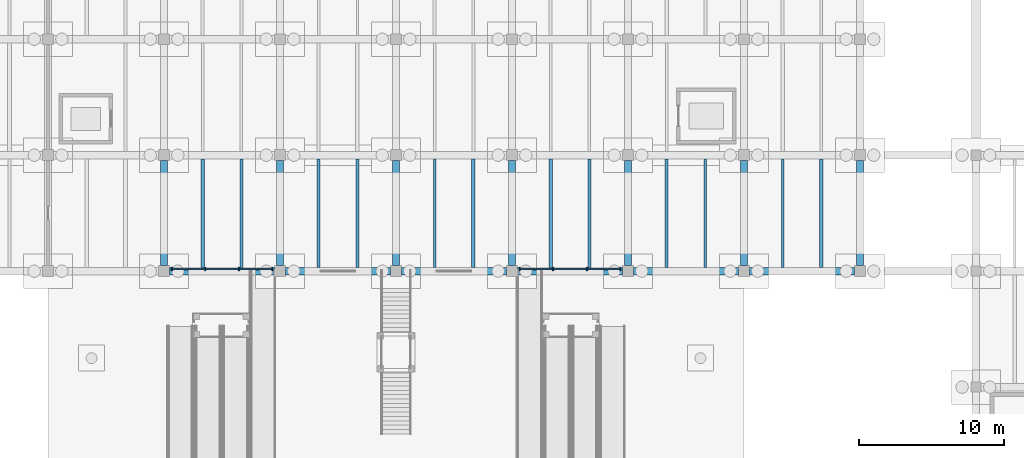
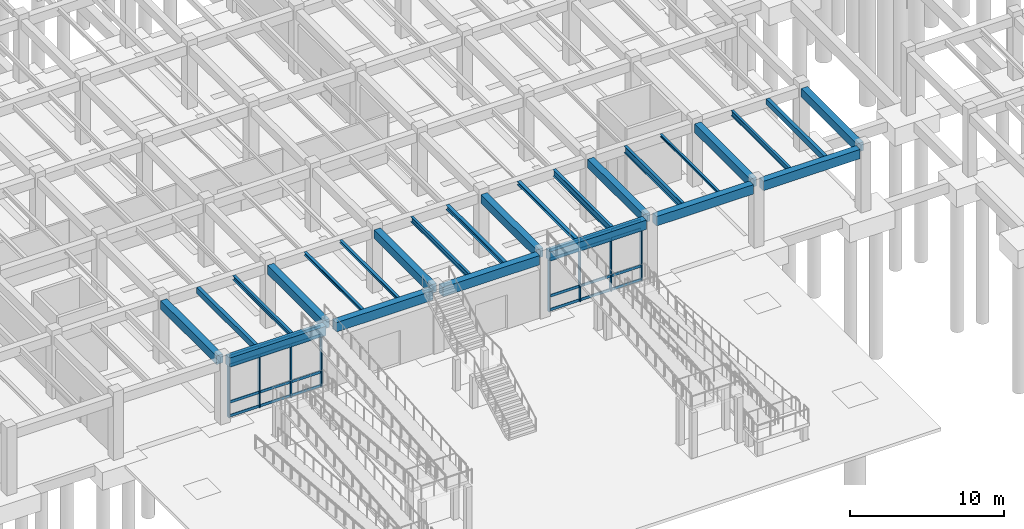
# One storey, part 14 of 44: 32 members, 25 beams, 2 elements without a shape of their own.
"""IFC4 building model written with IfcOpenShell, lengths in metres."""

from ifc_helpers import new_model, si_unit, direction, frame, origin, origin_2d, place, context, subcontext, project, spatial, rectangle, i_section, extrude, material, material_profile, profile_set, type_object, element, aggregate, save


model = new_model("IFC4")

# Units and contexts
model_context = context("Model", 3, precision=1e-05, world=origin(), true_north=direction((0.0, 1.0)))
body_context = subcontext(model_context, "Body", "Model", "MODEL_VIEW")
ifc_project = project(units=[si_unit("LENGTHUNIT", "METRE"), si_unit("AREAUNIT", "SQUARE_METRE"), si_unit("VOLUMEUNIT", "CUBIC_METRE"), si_unit("PLANEANGLEUNIT", "RADIAN"), si_unit("MASSUNIT", "GRAM", prefix="KILO")], contexts=[model_context])

# Site, building, storey
site_placement = place(None, origin())
site = spatial("IfcSite", under=ifc_project, at=site_placement, CompositionType="ELEMENT")
building_placement = place(site_placement, origin())
building = spatial("IfcBuilding", under=site, at=building_placement, Name="Pecanmere Concourse Central Library", CompositionType="ELEMENT")
storey_placement = place(building_placement, frame((0.0, 0.0, -5.39990234375)))
storey = spatial("IfcBuildingStorey", under=building, at=storey_placement, Name="B1", CompositionType="ELEMENT", Elevation=-5.39990234375)

# Curtain wall, members
ifc_material_1 = material(Name="Anodized bronze aluminium alloy 6063-T6", Category="aluminium")
curtain_wall_type = type_object("IfcCurtainWallType", Name="CW_PORTAL_CLEAR", PredefinedType="USERDEFINED", material=ifc_material_1)
curtain_wall_1_placement = place(storey_placement, origin())
curtain_wall_1 = element("IfcCurtainWall", 1, at=curtain_wall_1_placement, inside=storey, type_object=curtain_wall_type, Name="Unitised Curtain Wall CW-03 B1-171", ObjectType="UNITISED CURTAIN WALL", PredefinedType="USERDEFINED")
ifc_material_2 = material(Name="Anodized bronze aluminium alloy 6063-T6", Category="aluminium")
ifc_material_profile_1 = material_profile(ifc_material_2, rectangle(XDim=0.0849609375, YDim=0.239990234375, at=origin_2d()), Name="AL 85x240")
ifc_profile_set_1 = profile_set([ifc_material_profile_1], Name="Anodized bronze aluminium alloy 6063-T6")
member_type_1 = type_object("IfcMemberType", Name="CWM_240x85", PredefinedType="MULLION", material=ifc_profile_set_1)
member_1_placement = place(storey_placement, frame((72.54248046875, 24.14990234375, 0.0), z_axis=(0.0, 0.0, 1.0), x_axis=(1.0, 0.0, 0.0)))
member_1 = element("IfcMember", 2, at=member_1_placement, type_object=member_type_1, Name="CW-03 Mullion 1", PredefinedType="MULLION", context=body_context, shape_type="SweptSolid", body=[
    extrude(rectangle(XDim=0.0849609375, YDim=0.239990234375, at=origin_2d()), origin(), (0.0, 0.0, 1.0), 4.89990234375),
])
member_2_placement = place(storey_placement, frame((74.833251953125, 24.14990234375, 0.0), z_axis=(0.0, 0.0, 1.0), x_axis=(1.0, 0.0, 0.0)))
member_2 = element("IfcMember", 3, at=member_2_placement, type_object=member_type_1, Name="CW-03 Mullion 2", PredefinedType="MULLION", context=body_context, shape_type="SweptSolid", body=[
    extrude(rectangle(XDim=0.0849609375, YDim=0.239990234375, at=origin_2d()), origin(), (0.0, 0.0, 1.0), 4.89990234375),
])
member_3_placement = place(storey_placement, frame((77.166748046875, 24.14990234375, 0.0), z_axis=(0.0, 0.0, 1.0), x_axis=(1.0, 0.0, 0.0)))
member_3 = element("IfcMember", 4, at=member_3_placement, type_object=member_type_1, Name="CW-03 Mullion 3", PredefinedType="MULLION", context=body_context, shape_type="SweptSolid", body=[
    extrude(rectangle(XDim=0.0849609375, YDim=0.239990234375, at=origin_2d()), origin(), (0.0, 0.0, 1.0), 4.89990234375),
])
member_4_placement = place(storey_placement, frame((79.45751953125, 24.14990234375, 0.0), z_axis=(0.0, 0.0, 1.0), x_axis=(1.0, 0.0, 0.0)))
member_4 = element("IfcMember", 5, at=member_4_placement, type_object=member_type_1, Name="CW-03 Mullion 4", PredefinedType="MULLION", context=body_context, shape_type="SweptSolid", body=[
    extrude(rectangle(XDim=0.0849609375, YDim=0.239990234375, at=origin_2d()), origin(), (0.0, 0.0, 1.0), 4.89990234375),
])

curtain_wall_2_placement = place(storey_placement, origin())
curtain_wall_2 = element("IfcCurtainWall", 6, at=curtain_wall_2_placement, inside=storey, type_object=curtain_wall_type, Name="Unitised Curtain Wall CW-03 B1-172", ObjectType="UNITISED CURTAIN WALL", PredefinedType="USERDEFINED")
member_5_placement = place(storey_placement, frame((96.54248046875, 24.14990234375, 0.0), z_axis=(0.0, 0.0, 1.0), x_axis=(1.0, 0.0, 0.0)))
member_5 = element("IfcMember", 7, at=member_5_placement, type_object=member_type_1, Name="CW-03 Mullion 1", PredefinedType="MULLION", context=body_context, shape_type="SweptSolid", body=[
    extrude(rectangle(XDim=0.0849609375, YDim=0.239990234375, at=origin_2d()), origin(), (0.0, 0.0, 1.0), 4.89990234375),
])
member_6_placement = place(storey_placement, frame((98.833251953125, 24.14990234375, 0.0), z_axis=(0.0, 0.0, 1.0), x_axis=(1.0, 0.0, 0.0)))
member_6 = element("IfcMember", 8, at=member_6_placement, type_object=member_type_1, Name="CW-03 Mullion 2", PredefinedType="MULLION", context=body_context, shape_type="SweptSolid", body=[
    extrude(rectangle(XDim=0.0849609375, YDim=0.239990234375, at=origin_2d()), origin(), (0.0, 0.0, 1.0), 4.89990234375),
])
member_7_placement = place(storey_placement, frame((101.166748046875, 24.14990234375, 0.0), z_axis=(0.0, 0.0, 1.0), x_axis=(1.0, 0.0, 0.0)))
member_7 = element("IfcMember", 9, at=member_7_placement, type_object=member_type_1, Name="CW-03 Mullion 3", PredefinedType="MULLION", context=body_context, shape_type="SweptSolid", body=[
    extrude(rectangle(XDim=0.0849609375, YDim=0.239990234375, at=origin_2d()), origin(), (0.0, 0.0, 1.0), 4.89990234375),
])
member_8_placement = place(storey_placement, frame((103.45751953125, 24.14990234375, 0.0), z_axis=(0.0, 0.0, 1.0), x_axis=(1.0, 0.0, 0.0)))
member_8 = element("IfcMember", 10, at=member_8_placement, type_object=member_type_1, Name="CW-03 Mullion 4", PredefinedType="MULLION", context=body_context, shape_type="SweptSolid", body=[
    extrude(rectangle(XDim=0.0849609375, YDim=0.239990234375, at=origin_2d()), origin(), (0.0, 0.0, 1.0), 4.89990234375),
])

# Member
ifc_material_3 = material(Name="Anodized bronze aluminium alloy 6063-T6", Category="aluminium")
ifc_material_profile_2 = material_profile(ifc_material_3, rectangle(XDim=0.074951171875, YDim=0.2099609375, at=origin_2d()), Name="AL 75x210")
ifc_profile_set_2 = profile_set([ifc_material_profile_2], Name="Anodized bronze aluminium alloy 6063-T6")
member_type_2 = type_object("IfcMemberType", Name="CWT_210x75", PredefinedType="USERDEFINED", material=ifc_profile_set_2)
member_9_placement = place(storey_placement, frame((72.5849609375, 24.14990234375, 0.10498046875), z_axis=(1.0, 0.0, 0.0), x_axis=(0.0, 1.0, 0.0)))
member_9 = element("IfcMember", 11, at=member_9_placement, type_object=member_type_2, Name="CW-03 Transom 1.1", ObjectType="TRANSOM", PredefinedType="USERDEFINED", context=body_context, shape_type="SweptSolid", body=[
    extrude(rectangle(XDim=0.074951171875, YDim=0.2099609375, at=origin_2d()), origin(), (0.0, 0.0, 1.0), 2.205810546875),
])

member_10_placement = place(storey_placement, frame((72.5849609375, 24.14990234375, 1.199951171875), z_axis=(1.0, 0.0, 0.0), x_axis=(0.0, 1.0, 0.0)))
member_10 = element("IfcMember", 12, at=member_10_placement, type_object=member_type_2, Name="CW-03 Transom 1.2", ObjectType="TRANSOM", PredefinedType="USERDEFINED", context=body_context, shape_type="SweptSolid", body=[
    extrude(rectangle(XDim=0.074951171875, YDim=0.2099609375, at=origin_2d()), origin(), (0.0, 0.0, 1.0), 2.205810546875),
])

member_11_placement = place(storey_placement, frame((72.5849609375, 24.14990234375, 4.099853515625), z_axis=(1.0, 0.0, 0.0), x_axis=(0.0, 1.0, 0.0)))
member_11 = element("IfcMember", 13, at=member_11_placement, type_object=member_type_2, Name="CW-03 Transom 1.3", ObjectType="TRANSOM", PredefinedType="USERDEFINED", context=body_context, shape_type="SweptSolid", body=[
    extrude(rectangle(XDim=0.074951171875, YDim=0.2099609375, at=origin_2d()), origin(), (0.0, 0.0, 1.0), 2.205810546875),
])

member_12_placement = place(storey_placement, frame((72.5849609375, 24.14990234375, 4.794921875), z_axis=(1.0, 0.0, 0.0), x_axis=(0.0, 1.0, 0.0)))
member_12 = element("IfcMember", 14, at=member_12_placement, type_object=member_type_2, Name="CW-03 Transom 1.4", ObjectType="TRANSOM", PredefinedType="USERDEFINED", context=body_context, shape_type="SweptSolid", body=[
    extrude(rectangle(XDim=0.074951171875, YDim=0.2099609375, at=origin_2d()), origin(), (0.0, 0.0, 1.0), 2.205810546875),
])

member_13_placement = place(storey_placement, frame((74.875732421875, 24.14990234375, 0.10498046875), z_axis=(1.0, 0.0, 0.0), x_axis=(0.0, 1.0, 0.0)))
member_13 = element("IfcMember", 15, at=member_13_placement, type_object=member_type_2, Name="CW-03 Transom 2.1", ObjectType="TRANSOM", PredefinedType="USERDEFINED", context=body_context, shape_type="SweptSolid", body=[
    extrude(rectangle(XDim=0.074951171875, YDim=0.2099609375, at=origin_2d()), origin(), (0.0, 0.0, 1.0), 2.24853515625),
])

member_14_placement = place(storey_placement, frame((74.875732421875, 24.14990234375, 1.199951171875), z_axis=(1.0, 0.0, 0.0), x_axis=(0.0, 1.0, 0.0)))
member_14 = element("IfcMember", 16, at=member_14_placement, type_object=member_type_2, Name="CW-03 Transom 2.2", ObjectType="TRANSOM", PredefinedType="USERDEFINED", context=body_context, shape_type="SweptSolid", body=[
    extrude(rectangle(XDim=0.074951171875, YDim=0.2099609375, at=origin_2d()), origin(), (0.0, 0.0, 1.0), 2.24853515625),
])

member_15_placement = place(storey_placement, frame((74.875732421875, 24.14990234375, 4.099853515625), z_axis=(1.0, 0.0, 0.0), x_axis=(0.0, 1.0, 0.0)))
member_15 = element("IfcMember", 17, at=member_15_placement, type_object=member_type_2, Name="CW-03 Transom 2.3", ObjectType="TRANSOM", PredefinedType="USERDEFINED", context=body_context, shape_type="SweptSolid", body=[
    extrude(rectangle(XDim=0.074951171875, YDim=0.2099609375, at=origin_2d()), origin(), (0.0, 0.0, 1.0), 2.24853515625),
])

member_16_placement = place(storey_placement, frame((74.875732421875, 24.14990234375, 4.794921875), z_axis=(1.0, 0.0, 0.0), x_axis=(0.0, 1.0, 0.0)))
member_16 = element("IfcMember", 18, at=member_16_placement, type_object=member_type_2, Name="CW-03 Transom 2.4", ObjectType="TRANSOM", PredefinedType="USERDEFINED", context=body_context, shape_type="SweptSolid", body=[
    extrude(rectangle(XDim=0.074951171875, YDim=0.2099609375, at=origin_2d()), origin(), (0.0, 0.0, 1.0), 2.24853515625),
])

member_17_placement = place(storey_placement, frame((77.209228515625, 24.14990234375, 0.10498046875), z_axis=(1.0, 0.0, 0.0), x_axis=(0.0, 1.0, 0.0)))
member_17 = element("IfcMember", 19, at=member_17_placement, type_object=member_type_2, Name="CW-03 Transom 3.1", ObjectType="TRANSOM", PredefinedType="USERDEFINED", context=body_context, shape_type="SweptSolid", body=[
    extrude(rectangle(XDim=0.074951171875, YDim=0.2099609375, at=origin_2d()), origin(), (0.0, 0.0, 1.0), 2.205810546875),
])

member_18_placement = place(storey_placement, frame((77.209228515625, 24.14990234375, 1.199951171875), z_axis=(1.0, 0.0, 0.0), x_axis=(0.0, 1.0, 0.0)))
member_18 = element("IfcMember", 20, at=member_18_placement, type_object=member_type_2, Name="CW-03 Transom 3.2", ObjectType="TRANSOM", PredefinedType="USERDEFINED", context=body_context, shape_type="SweptSolid", body=[
    extrude(rectangle(XDim=0.074951171875, YDim=0.2099609375, at=origin_2d()), origin(), (0.0, 0.0, 1.0), 2.205810546875),
])

member_19_placement = place(storey_placement, frame((77.209228515625, 24.14990234375, 4.099853515625), z_axis=(1.0, 0.0, 0.0), x_axis=(0.0, 1.0, 0.0)))
member_19 = element("IfcMember", 21, at=member_19_placement, type_object=member_type_2, Name="CW-03 Transom 3.3", ObjectType="TRANSOM", PredefinedType="USERDEFINED", context=body_context, shape_type="SweptSolid", body=[
    extrude(rectangle(XDim=0.074951171875, YDim=0.2099609375, at=origin_2d()), origin(), (0.0, 0.0, 1.0), 2.205810546875),
])

member_20_placement = place(storey_placement, frame((77.209228515625, 24.14990234375, 4.794921875), z_axis=(1.0, 0.0, 0.0), x_axis=(0.0, 1.0, 0.0)))
member_20 = element("IfcMember", 22, at=member_20_placement, type_object=member_type_2, Name="CW-03 Transom 3.4", ObjectType="TRANSOM", PredefinedType="USERDEFINED", context=body_context, shape_type="SweptSolid", body=[
    extrude(rectangle(XDim=0.074951171875, YDim=0.2099609375, at=origin_2d()), origin(), (0.0, 0.0, 1.0), 2.205810546875),
])

aggregate(curtain_wall_1, [member_1, member_2, member_3, member_4, member_9, member_10, member_11, member_12, member_13, member_14, member_15, member_16, member_17, member_18, member_19, member_20])

member_21_placement = place(storey_placement, frame((96.5849609375, 24.14990234375, 0.10498046875), z_axis=(1.0, 0.0, 0.0), x_axis=(0.0, 1.0, 0.0)))
member_21 = element("IfcMember", 23, at=member_21_placement, type_object=member_type_2, Name="CW-03 Transom 1.1", ObjectType="TRANSOM", PredefinedType="USERDEFINED", context=body_context, shape_type="SweptSolid", body=[
    extrude(rectangle(XDim=0.074951171875, YDim=0.2099609375, at=origin_2d()), origin(), (0.0, 0.0, 1.0), 2.205810546875),
])

member_22_placement = place(storey_placement, frame((96.5849609375, 24.14990234375, 1.199951171875), z_axis=(1.0, 0.0, 0.0), x_axis=(0.0, 1.0, 0.0)))
member_22 = element("IfcMember", 24, at=member_22_placement, type_object=member_type_2, Name="CW-03 Transom 1.2", ObjectType="TRANSOM", PredefinedType="USERDEFINED", context=body_context, shape_type="SweptSolid", body=[
    extrude(rectangle(XDim=0.074951171875, YDim=0.2099609375, at=origin_2d()), origin(), (0.0, 0.0, 1.0), 2.205810546875),
])

member_23_placement = place(storey_placement, frame((96.5849609375, 24.14990234375, 4.099853515625), z_axis=(1.0, 0.0, 0.0), x_axis=(0.0, 1.0, 0.0)))
member_23 = element("IfcMember", 25, at=member_23_placement, type_object=member_type_2, Name="CW-03 Transom 1.3", ObjectType="TRANSOM", PredefinedType="USERDEFINED", context=body_context, shape_type="SweptSolid", body=[
    extrude(rectangle(XDim=0.074951171875, YDim=0.2099609375, at=origin_2d()), origin(), (0.0, 0.0, 1.0), 2.205810546875),
])

member_24_placement = place(storey_placement, frame((96.5849609375, 24.14990234375, 4.794921875), z_axis=(1.0, 0.0, 0.0), x_axis=(0.0, 1.0, 0.0)))
member_24 = element("IfcMember", 26, at=member_24_placement, type_object=member_type_2, Name="CW-03 Transom 1.4", ObjectType="TRANSOM", PredefinedType="USERDEFINED", context=body_context, shape_type="SweptSolid", body=[
    extrude(rectangle(XDim=0.074951171875, YDim=0.2099609375, at=origin_2d()), origin(), (0.0, 0.0, 1.0), 2.205810546875),
])

member_25_placement = place(storey_placement, frame((98.875732421875, 24.14990234375, 0.10498046875), z_axis=(1.0, 0.0, 0.0), x_axis=(0.0, 1.0, 0.0)))
member_25 = element("IfcMember", 27, at=member_25_placement, type_object=member_type_2, Name="CW-03 Transom 2.1", ObjectType="TRANSOM", PredefinedType="USERDEFINED", context=body_context, shape_type="SweptSolid", body=[
    extrude(rectangle(XDim=0.074951171875, YDim=0.2099609375, at=origin_2d()), origin(), (0.0, 0.0, 1.0), 2.24853515625),
])

member_26_placement = place(storey_placement, frame((98.875732421875, 24.14990234375, 1.199951171875), z_axis=(1.0, 0.0, 0.0), x_axis=(0.0, 1.0, 0.0)))
member_26 = element("IfcMember", 28, at=member_26_placement, type_object=member_type_2, Name="CW-03 Transom 2.2", ObjectType="TRANSOM", PredefinedType="USERDEFINED", context=body_context, shape_type="SweptSolid", body=[
    extrude(rectangle(XDim=0.074951171875, YDim=0.2099609375, at=origin_2d()), origin(), (0.0, 0.0, 1.0), 2.24853515625),
])

member_27_placement = place(storey_placement, frame((98.875732421875, 24.14990234375, 4.099853515625), z_axis=(1.0, 0.0, 0.0), x_axis=(0.0, 1.0, 0.0)))
member_27 = element("IfcMember", 29, at=member_27_placement, type_object=member_type_2, Name="CW-03 Transom 2.3", ObjectType="TRANSOM", PredefinedType="USERDEFINED", context=body_context, shape_type="SweptSolid", body=[
    extrude(rectangle(XDim=0.074951171875, YDim=0.2099609375, at=origin_2d()), origin(), (0.0, 0.0, 1.0), 2.24853515625),
])

member_28_placement = place(storey_placement, frame((98.875732421875, 24.14990234375, 4.794921875), z_axis=(1.0, 0.0, 0.0), x_axis=(0.0, 1.0, 0.0)))
member_28 = element("IfcMember", 30, at=member_28_placement, type_object=member_type_2, Name="CW-03 Transom 2.4", ObjectType="TRANSOM", PredefinedType="USERDEFINED", context=body_context, shape_type="SweptSolid", body=[
    extrude(rectangle(XDim=0.074951171875, YDim=0.2099609375, at=origin_2d()), origin(), (0.0, 0.0, 1.0), 2.24853515625),
])

member_29_placement = place(storey_placement, frame((101.209228515625, 24.14990234375, 0.10498046875), z_axis=(1.0, 0.0, 0.0), x_axis=(0.0, 1.0, 0.0)))
member_29 = element("IfcMember", 31, at=member_29_placement, type_object=member_type_2, Name="CW-03 Transom 3.1", ObjectType="TRANSOM", PredefinedType="USERDEFINED", context=body_context, shape_type="SweptSolid", body=[
    extrude(rectangle(XDim=0.074951171875, YDim=0.2099609375, at=origin_2d()), origin(), (0.0, 0.0, 1.0), 2.205810546875),
])

member_30_placement = place(storey_placement, frame((101.209228515625, 24.14990234375, 1.199951171875), z_axis=(1.0, 0.0, 0.0), x_axis=(0.0, 1.0, 0.0)))
member_30 = element("IfcMember", 32, at=member_30_placement, type_object=member_type_2, Name="CW-03 Transom 3.2", ObjectType="TRANSOM", PredefinedType="USERDEFINED", context=body_context, shape_type="SweptSolid", body=[
    extrude(rectangle(XDim=0.074951171875, YDim=0.2099609375, at=origin_2d()), origin(), (0.0, 0.0, 1.0), 2.205810546875),
])

member_31_placement = place(storey_placement, frame((101.209228515625, 24.14990234375, 4.099853515625), z_axis=(1.0, 0.0, 0.0), x_axis=(0.0, 1.0, 0.0)))
member_31 = element("IfcMember", 33, at=member_31_placement, type_object=member_type_2, Name="CW-03 Transom 3.3", ObjectType="TRANSOM", PredefinedType="USERDEFINED", context=body_context, shape_type="SweptSolid", body=[
    extrude(rectangle(XDim=0.074951171875, YDim=0.2099609375, at=origin_2d()), origin(), (0.0, 0.0, 1.0), 2.205810546875),
])

member_32_placement = place(storey_placement, frame((101.209228515625, 24.14990234375, 4.794921875), z_axis=(1.0, 0.0, 0.0), x_axis=(0.0, 1.0, 0.0)))
member_32 = element("IfcMember", 34, at=member_32_placement, type_object=member_type_2, Name="CW-03 Transom 3.4", ObjectType="TRANSOM", PredefinedType="USERDEFINED", context=body_context, shape_type="SweptSolid", body=[
    extrude(rectangle(XDim=0.074951171875, YDim=0.2099609375, at=origin_2d()), origin(), (0.0, 0.0, 1.0), 2.205810546875),
])

aggregate(curtain_wall_2, [member_5, member_6, member_7, member_8, member_21, member_22, member_23, member_24, member_25, member_26, member_27, member_28, member_29, member_30, member_31, member_32])

# Beams
ifc_material_4 = material(Name="Concrete C40/50", Category="concrete")
ifc_material_profile_3 = material_profile(ifc_material_4, rectangle(XDim=0.47998046875, YDim=0.679931640625, at=origin_2d()), Name="RC 480x680")
ifc_profile_set_3 = profile_set([ifc_material_profile_3], Name="Concrete C40/50")
beam_type_1 = type_object("IfcBeamType", Name="GRD_480x680", PredefinedType="USERDEFINED", material=ifc_profile_set_3)
for number, where, z_axis, x_axis, name in (
    (35, (72.0, 24.375, 4.639892578125), (0.0, 1.0, 0.0), (-1.0, 0.0, 0.0), "Primary Girder Y L01-0284"),
    (36, (80.0, 24.375, 4.639892578125), (0.0, 1.0, 0.0), (-1.0, 0.0, 0.0), "Primary Girder Y L01-0296"),
    (37, (88.0, 24.375, 4.639892578125), (0.0, 1.0, 0.0), (-1.0, 0.0, 0.0), "Primary Girder Y L01-0308"),
    (38, (96.0, 24.375, 4.639892578125), (0.0, 1.0, 0.0), (-1.0, 0.0, 0.0), "Primary Girder Y L01-0320"),
    (39, (104.0, 24.375, 4.639892578125), (0.0, 1.0, 0.0), (-1.0, 0.0, 0.0), "Primary Girder Y L01-0332"),
    (40, (112.0, 24.375, 4.639892578125), (0.0, 1.0, 0.0), (-1.0, 0.0, 0.0), "Primary Girder Y L01-0344"),
    (41, (120.0, 24.375, 4.639892578125), (0.0, 1.0, 0.0), (-1.0, 0.0, 0.0), "Primary Girder Y L01-0354"),
):
    element("IfcBeam", number, at=place(storey_placement, frame(where, z_axis=z_axis, x_axis=x_axis)), inside=storey, type_object=beam_type_1, Name=name, ObjectType="GIRDER", PredefinedType="USERDEFINED", context=body_context, shape_type="SweptSolid", body=[
        extrude(rectangle(XDim=0.47998046875, YDim=0.679931640625, at=origin_2d()), origin(), (0.0, 0.0, 1.0), 7.25),
    ])
ifc_material_5 = material(Name="Concrete C40/50", Category="concrete")
ifc_material_profile_4 = material_profile(ifc_material_5, rectangle(XDim=0.5, YDim=0.739990234375, at=origin_2d()), Name="RC 500x740")
ifc_profile_set_4 = profile_set([ifc_material_profile_4], Name="Concrete C40/50")
beam_type_2 = type_object("IfcBeamType", Name="GRD_500x740", PredefinedType="USERDEFINED", material=ifc_profile_set_4)
for number, where, z_axis, x_axis, name in (
    (42, (72.375, 24.0, 4.60986328125), (1.0, 0.0, 0.0), (0.0, 1.0, 0.0), "Primary Girder X L01-0045"),
    (43, (80.375, 24.0, 4.60986328125), (1.0, 0.0, 0.0), (0.0, 1.0, 0.0), "Primary Girder X L01-0046"),
    (44, (88.375, 24.0, 4.60986328125), (1.0, 0.0, 0.0), (0.0, 1.0, 0.0), "Primary Girder X L01-0047"),
    (45, (96.375, 24.0, 4.60986328125), (1.0, 0.0, 0.0), (0.0, 1.0, 0.0), "Primary Girder X L01-0048"),
    (46, (104.375, 24.0, 4.60986328125), (1.0, 0.0, 0.0), (0.0, 1.0, 0.0), "Primary Girder X L01-0049"),
    (47, (112.375, 24.0, 4.60986328125), (1.0, 0.0, 0.0), (0.0, 1.0, 0.0), "Primary Girder X L01-0050"),
):
    element("IfcBeam", number, at=place(storey_placement, frame(where, z_axis=z_axis, x_axis=x_axis)), inside=storey, type_object=beam_type_2, Name=name, ObjectType="GIRDER", PredefinedType="USERDEFINED", context=body_context, shape_type="SweptSolid", body=[
        extrude(rectangle(XDim=0.5, YDim=0.739990234375, at=origin_2d()), origin(), (0.0, 0.0, 1.0), 7.25),
    ])
ifc_material_6 = material(Name="Concrete C40/50", Category="concrete")
ifc_material_profile_5 = material_profile(ifc_material_6, rectangle(XDim=0.25, YDim=0.449951171875, at=origin_2d()), Name="RC 250x450")
ifc_profile_set_5 = profile_set([ifc_material_profile_5], Name="Concrete C40/50")
beam_type_3 = type_object("IfcBeamType", Name="JST_RC_250x450", PredefinedType="JOIST", material=ifc_profile_set_5)
beam_1_placement = place(storey_placement, frame((117.333251953125, 24.25, 4.7548828125), z_axis=(0.0, 1.0, 0.0), x_axis=(-1.0, 0.0, 0.0)))
element("IfcBeam", 48, at=beam_1_placement, inside=storey, type_object=beam_type_3, Name="Secondary Floor Joist L01-0651", PredefinedType="JOIST", context=body_context, shape_type="SweptSolid", body=[
    extrude(rectangle(XDim=0.25, YDim=0.449951171875, at=origin_2d()), origin(), (0.0, 0.0, 1.0), 7.5),
])
ifc_material_7 = material(Name="Concrete C40/50", Category="concrete")
ifc_material_profile_6 = material_profile(ifc_material_7, rectangle(XDim=0.260009765625, YDim=0.469970703125, at=origin_2d()), Name="RC 260x470")
ifc_profile_set_6 = profile_set([ifc_material_profile_6], Name="Concrete C40/50")
beam_type_4 = type_object("IfcBeamType", Name="JST_RC_260x470", PredefinedType="JOIST", material=ifc_profile_set_6)
beam_2_placement = place(storey_placement, frame((74.666748046875, 24.25, 4.744873046875), z_axis=(0.0, 1.0, 0.0), x_axis=(-1.0, 0.0, 0.0)))
element("IfcBeam", 49, at=beam_2_placement, inside=storey, type_object=beam_type_4, Name="Secondary Floor Joist L01-0543", PredefinedType="JOIST", context=body_context, shape_type="SweptSolid", body=[
    extrude(rectangle(XDim=0.260009765625, YDim=0.469970703125, at=origin_2d()), origin(), (0.0, 0.0, 1.0), 7.5),
])
ifc_material_8 = material(Name="Structural steel ASTM A992 Grade 50", Category="steel")
ifc_material_profile_7 = material_profile(ifc_material_8, i_section(OverallWidth=0.1650390625, OverallDepth=0.200927734375, WebThickness=0.006103515625, FlangeThickness=0.01025390625, at=origin_2d()), Name="W200x35.9")
ifc_profile_set_7 = profile_set([ifc_material_profile_7], Name="Structural steel ASTM A992 Grade 50")
beam_type_5 = type_object("IfcBeamType", Name="SBM_W200x36", PredefinedType="LINTEL", material=ifc_profile_set_7)
beam_3_placement = place(storey_placement, frame((109.333251953125, 24.25, 4.87939453125), z_axis=(0.0, 1.0, 0.0), x_axis=(-1.0, 0.0, 0.0)))
element("IfcBeam", 50, at=beam_3_placement, inside=storey, type_object=beam_type_5, Name="Secondary Floor Joist L01-0634", PredefinedType="LINTEL", context=body_context, shape_type="SweptSolid", body=[
    extrude(i_section(OverallWidth=0.1650390625, OverallDepth=0.200927734375, WebThickness=0.006103515625, FlangeThickness=0.01025390625, at=origin_2d()), origin(), (0.0, 0.0, 1.0), 7.5),
])
ifc_material_9 = material(Name="Structural steel ASTM A992 Grade 50", Category="steel")
ifc_material_profile_8 = material_profile(ifc_material_9, i_section(OverallWidth=0.2041015625, OverallDepth=0.2060546875, WebThickness=0.0078125, FlangeThickness=0.0126953125, at=origin_2d()), Name="W200x52")
ifc_profile_set_8 = profile_set([ifc_material_profile_8], Name="Structural steel ASTM A992 Grade 50")
beam_type_6 = type_object("IfcBeamType", Name="SBM_W200x52", PredefinedType="JOIST", material=ifc_profile_set_8)
beam_4_placement = place(storey_placement, frame((85.333251953125, 24.25, 4.876953125), z_axis=(0.0, 1.0, 0.0), x_axis=(-1.0, 0.0, 0.0)))
element("IfcBeam", 51, at=beam_4_placement, inside=storey, type_object=beam_type_6, Name="Secondary Floor Joist L01-0565", PredefinedType="JOIST", context=body_context, shape_type="SweptSolid", body=[
    extrude(i_section(OverallWidth=0.2041015625, OverallDepth=0.2060546875, WebThickness=0.0078125, FlangeThickness=0.0126953125, at=origin_2d()), origin(), (0.0, 0.0, 1.0), 7.5),
])
ifc_material_10 = material(Name="Structural steel ASTM A992 Grade 50", Category="steel")
ifc_material_profile_9 = material_profile(ifc_material_10, i_section(OverallWidth=0.201904296875, OverallDepth=0.2470703125, WebThickness=0.00732421875, FlangeThickness=0.010986328125, at=origin_2d()), Name="W250x49.1")
ifc_profile_set_9 = profile_set([ifc_material_profile_9], Name="Structural steel ASTM A992 Grade 50")
beam_type_7 = type_object("IfcBeamType", Name="SBM_W250x49", PredefinedType="JOIST", material=ifc_profile_set_9)
beam_5_placement = place(storey_placement, frame((82.666748046875, 24.25, 4.8564453125), z_axis=(0.0, 1.0, 0.0), x_axis=(-1.0, 0.0, 0.0)))
element("IfcBeam", 52, at=beam_5_placement, inside=storey, type_object=beam_type_7, Name="Secondary Floor Joist L01-0564", PredefinedType="JOIST", context=body_context, shape_type="SweptSolid", body=[
    extrude(i_section(OverallWidth=0.201904296875, OverallDepth=0.2470703125, WebThickness=0.00732421875, FlangeThickness=0.010986328125, at=origin_2d()), origin(), (0.0, 0.0, 1.0), 7.5),
])
ifc_material_11 = material(Name="Structural steel ASTM A992 Grade 50", Category="steel")
ifc_material_profile_10 = material_profile(ifc_material_11, i_section(OverallWidth=0.25390625, OverallDepth=0.2529296875, WebThickness=0.008544921875, FlangeThickness=0.01416015625, at=origin_2d()), Name="W250x73")
ifc_profile_set_10 = profile_set([ifc_material_profile_10], Name="Structural steel ASTM A992 Grade 50")
beam_type_8 = type_object("IfcBeamType", Name="SBM_W250x73", PredefinedType="BEAM", material=ifc_profile_set_10)
beam_6_placement = place(storey_placement, frame((98.666748046875, 24.25, 4.853515625), z_axis=(0.0, 1.0, 0.0), x_axis=(-1.0, 0.0, 0.0)))
element("IfcBeam", 53, at=beam_6_placement, inside=storey, type_object=beam_type_8, Name="Secondary Floor Joist L01-0612", PredefinedType="BEAM", context=body_context, shape_type="SweptSolid", body=[
    extrude(i_section(OverallWidth=0.25390625, OverallDepth=0.2529296875, WebThickness=0.008544921875, FlangeThickness=0.01416015625, at=origin_2d()), origin(), (0.0, 0.0, 1.0), 7.5),
])
ifc_material_12 = material(Name="Structural steel ASTM A992 Grade 50", Category="steel")
ifc_material_profile_11 = material_profile(ifc_material_12, i_section(OverallWidth=0.202880859375, OverallDepth=0.346923828125, WebThickness=0.0078125, FlangeThickness=0.013427734375, at=origin_2d()), Name="W360x64")
ifc_profile_set_11 = profile_set([ifc_material_profile_11], Name="Structural steel ASTM A992 Grade 50")
beam_type_9 = type_object("IfcBeamType", Name="SBM_W360x64", PredefinedType="JOIST", material=ifc_profile_set_11)
beam_7_placement = place(storey_placement, frame((77.333251953125, 24.25, 4.806396484375), z_axis=(0.0, 1.0, 0.0), x_axis=(-1.0, 0.0, 0.0)))
element("IfcBeam", 54, at=beam_7_placement, inside=storey, type_object=beam_type_9, Name="Secondary Floor Joist L01-0544", PredefinedType="JOIST", context=body_context, shape_type="SweptSolid", body=[
    extrude(i_section(OverallWidth=0.202880859375, OverallDepth=0.346923828125, WebThickness=0.0078125, FlangeThickness=0.013427734375, at=origin_2d()), origin(), (0.0, 0.0, 1.0), 7.5),
])
ifc_material_13 = material(Name="Structural steel ASTM A992 Grade 50", Category="steel")
ifc_material_profile_12 = material_profile(ifc_material_13, i_section(OverallWidth=0.25390625, OverallDepth=0.35302734375, WebThickness=0.009521484375, FlangeThickness=0.016357421875, at=origin_2d()), Name="W360x91")
ifc_profile_set_12 = profile_set([ifc_material_profile_12], Name="Structural steel ASTM A992 Grade 50")
beam_type_10 = type_object("IfcBeamType", Name="SBM_W360x91", PredefinedType="BEAM", material=ifc_profile_set_12)
beam_8_placement = place(storey_placement, frame((93.333251953125, 24.25, 4.803466796875), z_axis=(0.0, 1.0, 0.0), x_axis=(-1.0, 0.0, 0.0)))
element("IfcBeam", 55, at=beam_8_placement, inside=storey, type_object=beam_type_10, Name="Secondary Floor Joist L01-0589", PredefinedType="BEAM", context=body_context, shape_type="SweptSolid", body=[
    extrude(i_section(OverallWidth=0.25390625, OverallDepth=0.35302734375, WebThickness=0.009521484375, FlangeThickness=0.016357421875, at=origin_2d()), origin(), (0.0, 0.0, 1.0), 7.5),
])
ifc_material_14 = material(Name="Structural steel ASTM A992 Grade 50", Category="steel")
ifc_material_profile_13 = material_profile(ifc_material_14, i_section(OverallWidth=0.177978515625, OverallDepth=0.406982421875, WebThickness=0.0078125, FlangeThickness=0.0126953125, at=origin_2d()), Name="W410x60")
ifc_profile_set_13 = profile_set([ifc_material_profile_13], Name="Structural steel ASTM A992 Grade 50")
beam_type_11 = type_object("IfcBeamType", Name="SBM_W410x60", PredefinedType="JOIST", material=ifc_profile_set_13)
beam_9_placement = place(storey_placement, frame((114.666748046875, 24.25, 4.7763671875), z_axis=(0.0, 1.0, 0.0), x_axis=(-1.0, 0.0, 0.0)))
element("IfcBeam", 56, at=beam_9_placement, inside=storey, type_object=beam_type_11, Name="Secondary Floor Joist L01-0650", PredefinedType="JOIST", context=body_context, shape_type="SweptSolid", body=[
    extrude(i_section(OverallWidth=0.177978515625, OverallDepth=0.406982421875, WebThickness=0.0078125, FlangeThickness=0.0126953125, at=origin_2d()), origin(), (0.0, 0.0, 1.0), 7.5),
])
ifc_material_15 = material(Name="Structural steel ASTM A992 Grade 50", Category="steel")
ifc_material_profile_14 = material_profile(ifc_material_15, i_section(OverallWidth=0.180908203125, OverallDepth=0.4169921875, WebThickness=0.010986328125, FlangeThickness=0.018310546875, at=origin_2d()), Name="W410x85")
ifc_profile_set_14 = profile_set([ifc_material_profile_14], Name="Structural steel ASTM A992 Grade 50")
beam_type_12 = type_object("IfcBeamType", Name="SBM_W410x85", PredefinedType="BEAM", material=ifc_profile_set_14)
beam_10_placement = place(storey_placement, frame((90.666748046875, 24.25, 4.771484375), z_axis=(0.0, 1.0, 0.0), x_axis=(-1.0, 0.0, 0.0)))
element("IfcBeam", 57, at=beam_10_placement, inside=storey, type_object=beam_type_12, Name="Secondary Floor Joist L01-0588", PredefinedType="BEAM", context=body_context, shape_type="SweptSolid", body=[
    extrude(i_section(OverallWidth=0.180908203125, OverallDepth=0.4169921875, WebThickness=0.010986328125, FlangeThickness=0.018310546875, at=origin_2d()), origin(), (0.0, 0.0, 1.0), 7.5),
])
ifc_material_16 = material(Name="Structural steel ASTM A992 Grade 50", Category="steel")
ifc_material_profile_15 = material_profile(ifc_material_16, i_section(OverallWidth=0.2109375, OverallDepth=0.5390625, WebThickness=0.01171875, FlangeThickness=0.018798828125, at=origin_2d()), Name="W530x109")
ifc_profile_set_15 = profile_set([ifc_material_profile_15], Name="Structural steel ASTM A992 Grade 50")
beam_type_13 = type_object("IfcBeamType", Name="SBM_W530x109", PredefinedType="USERDEFINED", material=ifc_profile_set_15)
beam_11_placement = place(storey_placement, frame((106.666748046875, 24.25, 4.71044921875), z_axis=(0.0, 1.0, 0.0), x_axis=(-1.0, 0.0, 0.0)))
element("IfcBeam", 58, at=beam_11_placement, inside=storey, type_object=beam_type_13, Name="Secondary Floor Joist L01-0633", ObjectType="GIRDER", PredefinedType="USERDEFINED", context=body_context, shape_type="SweptSolid", body=[
    extrude(i_section(OverallWidth=0.2109375, OverallDepth=0.5390625, WebThickness=0.01171875, FlangeThickness=0.018798828125, at=origin_2d()), origin(), (0.0, 0.0, 1.0), 7.5),
])
ifc_material_17 = material(Name="Structural steel ASTM A992 Grade 50", Category="steel")
ifc_material_profile_16 = material_profile(ifc_material_17, i_section(OverallWidth=0.208984375, OverallDepth=0.532958984375, WebThickness=0.01025390625, FlangeThickness=0.015625, at=origin_2d()), Name="W530x92")
ifc_profile_set_16 = profile_set([ifc_material_profile_16], Name="Structural steel ASTM A992 Grade 50")
beam_type_14 = type_object("IfcBeamType", Name="SBM_W530x92", PredefinedType="BEAM", material=ifc_profile_set_16)
beam_12_placement = place(storey_placement, frame((101.333251953125, 24.25, 4.71337890625), z_axis=(0.0, 1.0, 0.0), x_axis=(-1.0, 0.0, 0.0)))
element("IfcBeam", 59, at=beam_12_placement, inside=storey, type_object=beam_type_14, Name="Secondary Floor Joist L01-0613", PredefinedType="BEAM", context=body_context, shape_type="SweptSolid", body=[
    extrude(i_section(OverallWidth=0.208984375, OverallDepth=0.532958984375, WebThickness=0.01025390625, FlangeThickness=0.015625, at=origin_2d()), origin(), (0.0, 0.0, 1.0), 7.5),
])

save(model, "model.ifc")
